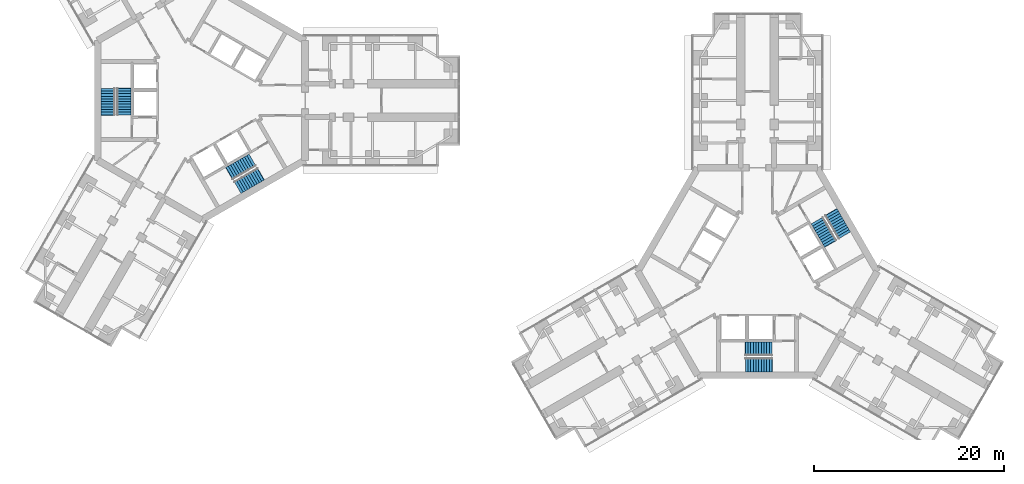
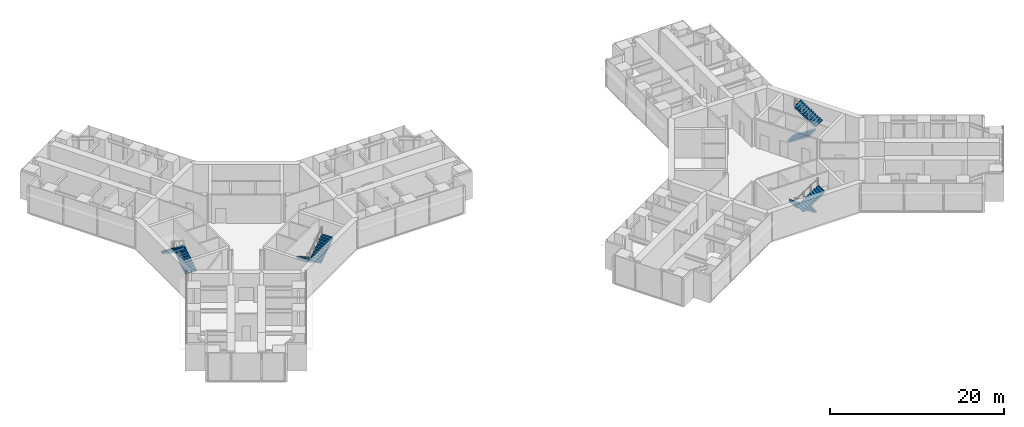
# One storey, part 22 of 23: 8 stair flights, 4 elements without a shape of their own.
"""IFC4 building model written with IfcOpenShell, lengths in metres."""

from ifc_helpers import new_model, si_unit, direction, frame, origin, place, context, subcontext, project, spatial, polyline, outline, extrude, material, type_object, element, aggregate, save


model = new_model("IFC4")

# Units and contexts
model_context = context("Model", 3, precision=1e-05, world=origin(), true_north=direction((0.0, 1.0)))
body_context = subcontext(model_context, "Body", "Model", "MODEL_VIEW")
ifc_project = project(units=[si_unit("LENGTHUNIT", "METRE"), si_unit("AREAUNIT", "SQUARE_METRE"), si_unit("VOLUMEUNIT", "CUBIC_METRE"), si_unit("PLANEANGLEUNIT", "RADIAN"), si_unit("MASSUNIT", "GRAM", prefix="KILO")], contexts=[model_context])

# Site, building, storey
site_placement = place(None, origin())
site = spatial("IfcSite", under=ifc_project, at=site_placement, CompositionType="ELEMENT")
building_placement = place(site_placement, origin())
building = spatial("IfcBuilding", under=site, at=building_placement, Name="Upepo Twin Towers", CompositionType="ELEMENT")
storey_placement = place(building_placement, frame((0.0, 0.0, 32.5)))
storey = spatial("IfcBuildingStorey", under=building, at=storey_placement, Name="L07", CompositionType="ELEMENT", Elevation=32.5)

# Stair, stair flights
ifc_material_1 = material(Name="Concrete C40/50", Category="concrete")
stair_type = type_object("IfcStairType", Name="Core stair, two flights", PredefinedType="HALF_TURN_STAIR", material=ifc_material_1)
stair_1_placement = place(storey_placement, origin())
stair_1 = element("IfcStair", 1, at=stair_1_placement, inside=storey, type_object=stair_type, Name="T1 stair S1 L07", PredefinedType="HALF_TURN_STAIR")
ifc_material_2 = material(Name="Concrete C40/50", Category="concrete")
stair_flight_type = type_object("IfcStairFlightType", Name="Stair flight 1450 RC", PredefinedType="STRAIGHT", material=ifc_material_2)
stair_flight_1_placement = place(storey_placement, frame((-8.125, -1.52001953125, 0.0), z_axis=(0.0, 0.0, 1.0), x_axis=(0.0, 1.0, 0.0)))
stair_flight_1 = element("IfcStairFlight", 2, at=stair_flight_1_placement, type_object=stair_flight_type, Name="Stair S1 flight 1", NumberOfRisers=11, NumberOfTreads=10, PredefinedType="STRAIGHT", RiserHeight=0.181818182, TreadLength=0.28, context=body_context, shape_type="SweptSolid", body=[
    extrude(outline(polyline([(0.0, 0.0), (0.0, 0.181884765625), (0.280029296875, 0.181884765625), (0.280029296875, 0.363525390625), (0.56005859375, 0.363525390625), (0.56005859375, 0.54541015625), (0.840087890625, 0.54541015625), (0.840087890625, 0.727294921875), (1.1201171875, 0.727294921875), (1.1201171875, 0.9091796875), (1.39990234375, 0.9091796875), (1.39990234375, 1.0908203125), (1.679931640625, 1.0908203125), (1.679931640625, 1.272705078125), (1.9599609375, 1.272705078125), (1.9599609375, 1.45458984375), (2.239990234375, 1.45458984375), (2.239990234375, 1.636474609375), (2.52001953125, 1.636474609375), (2.52001953125, 1.818115234375), (2.800048828125, 1.818115234375), (2.800048828125, 2.0), (2.85009765625, 2.0), (2.85009765625, 1.639404296875), (0.3251953125, 0.0), (0.0, 0.0)])), frame((0.0, 0.72509765625, 0.0), z_axis=(0.0, -1.0, 0.0), x_axis=(1.0, 0.0, 0.0)), (0.0, 0.0, 1.0), 1.449951171875),
])
stair_flight_2_placement = place(storey_placement, frame((-9.833251953125, 1.280029296875, 2.0), z_axis=(0.0, 0.0, 1.0), x_axis=(0.0, -1.0, 0.0)))
stair_flight_2 = element("IfcStairFlight", 3, at=stair_flight_2_placement, type_object=stair_flight_type, Name="Stair S1 flight 2", NumberOfRisers=11, NumberOfTreads=10, PredefinedType="STRAIGHT", RiserHeight=0.181818182, TreadLength=0.28, context=body_context, shape_type="SweptSolid", body=[
    extrude(outline(polyline([(0.0, 0.0), (0.0, 0.181884765625), (0.280029296875, 0.181884765625), (0.280029296875, 0.363525390625), (0.56005859375, 0.363525390625), (0.56005859375, 0.54541015625), (0.840087890625, 0.54541015625), (0.840087890625, 0.727294921875), (1.1201171875, 0.727294921875), (1.1201171875, 0.9091796875), (1.39990234375, 0.9091796875), (1.39990234375, 1.0908203125), (1.679931640625, 1.0908203125), (1.679931640625, 1.272705078125), (1.9599609375, 1.272705078125), (1.9599609375, 1.45458984375), (2.239990234375, 1.45458984375), (2.239990234375, 1.636474609375), (2.52001953125, 1.636474609375), (2.52001953125, 1.818115234375), (2.800048828125, 1.818115234375), (2.800048828125, 2.0), (2.85009765625, 2.0), (2.85009765625, 1.639404296875), (0.3251953125, 0.0), (0.0, 0.0)])), frame((0.0, 0.72509765625, 0.0), z_axis=(0.0, -1.0, 0.0), x_axis=(1.0, 0.0, 0.0)), (0.0, 0.0, 1.0), 1.449951171875),
])
aggregate(stair_1, [stair_flight_1, stair_flight_2])

stair_2_placement = place(storey_placement, origin())
stair_2 = element("IfcStair", 4, at=stair_2_placement, inside=storey, type_object=stair_type, Name="T1 stair S2 L07", PredefinedType="HALF_TURN_STAIR")
stair_flight_3_placement = place(storey_placement, frame((5.37890625, -6.2763671875, 0.0), z_axis=(0.0, 0.0, 1.0), x_axis=(-0.866025403784, -0.5, 0.0)))
stair_flight_3 = element("IfcStairFlight", 5, at=stair_flight_3_placement, type_object=stair_flight_type, Name="Stair S2 flight 1", NumberOfRisers=11, NumberOfTreads=10, PredefinedType="STRAIGHT", RiserHeight=0.181818182, TreadLength=0.28, context=body_context, shape_type="SweptSolid", body=[
    extrude(outline(polyline([(0.0, 0.0), (0.0, 0.181884765625), (0.280029296875, 0.181884765625), (0.280029296875, 0.363525390625), (0.56005859375, 0.363525390625), (0.56005859375, 0.54541015625), (0.840087890625, 0.54541015625), (0.840087890625, 0.727294921875), (1.1201171875, 0.727294921875), (1.1201171875, 0.9091796875), (1.39990234375, 0.9091796875), (1.39990234375, 1.0908203125), (1.679931640625, 1.0908203125), (1.679931640625, 1.272705078125), (1.9599609375, 1.272705078125), (1.9599609375, 1.45458984375), (2.239990234375, 1.45458984375), (2.239990234375, 1.636474609375), (2.52001953125, 1.636474609375), (2.52001953125, 1.818115234375), (2.800048828125, 1.818115234375), (2.800048828125, 2.0), (2.85009765625, 2.0), (2.85009765625, 1.639404296875), (0.3251953125, 0.0), (0.0, 0.0)])), frame((0.0, 0.72509765625, 0.0), z_axis=(0.0, -1.0, 0.0), x_axis=(1.0, 0.0, 0.0)), (0.0, 0.0, 1.0), 1.449951171875),
])
stair_flight_4_placement = place(storey_placement, frame((3.80810546875, -9.156005859375, 2.0), z_axis=(0.0, 0.0, 1.0), x_axis=(0.866025403784, 0.5, 0.0)))
stair_flight_4 = element("IfcStairFlight", 6, at=stair_flight_4_placement, type_object=stair_flight_type, Name="Stair S2 flight 2", NumberOfRisers=11, NumberOfTreads=10, PredefinedType="STRAIGHT", RiserHeight=0.181818182, TreadLength=0.28, context=body_context, shape_type="SweptSolid", body=[
    extrude(outline(polyline([(0.0, 0.0), (0.0, 0.181884765625), (0.280029296875, 0.181884765625), (0.280029296875, 0.363525390625), (0.56005859375, 0.363525390625), (0.56005859375, 0.54541015625), (0.840087890625, 0.54541015625), (0.840087890625, 0.727294921875), (1.1201171875, 0.727294921875), (1.1201171875, 0.9091796875), (1.39990234375, 0.9091796875), (1.39990234375, 1.0908203125), (1.679931640625, 1.0908203125), (1.679931640625, 1.272705078125), (1.9599609375, 1.272705078125), (1.9599609375, 1.45458984375), (2.239990234375, 1.45458984375), (2.239990234375, 1.636474609375), (2.52001953125, 1.636474609375), (2.52001953125, 1.818115234375), (2.800048828125, 1.818115234375), (2.800048828125, 2.0), (2.85009765625, 2.0), (2.85009765625, 1.639404296875), (0.3251953125, 0.0), (0.0, 0.0)])), frame((0.0, 0.72509765625, 0.0), z_axis=(0.0, -1.0, 0.0), x_axis=(1.0, 0.0, 0.0)), (0.0, 0.0, 1.0), 1.449951171875),
])
aggregate(stair_2, [stair_flight_3, stair_flight_4])

stair_3_placement = place(storey_placement, origin())
stair_3 = element("IfcStair", 7, at=stair_3_placement, inside=storey, type_object=stair_type, Name="T2 stair S1 L07", PredefinedType="HALF_TURN_STAIR")
stair_flight_5_placement = place(storey_placement, frame((60.02001953125, -26.125, 0.0), z_axis=(0.0, 0.0, 1.0), x_axis=(-1.0, 0.0, 0.0)))
stair_flight_5 = element("IfcStairFlight", 8, at=stair_flight_5_placement, type_object=stair_flight_type, Name="Stair S1 flight 1", NumberOfRisers=11, NumberOfTreads=10, PredefinedType="STRAIGHT", RiserHeight=0.181818182, TreadLength=0.28, context=body_context, shape_type="SweptSolid", body=[
    extrude(outline(polyline([(0.0, 0.0), (0.0, 0.181884765625), (0.280029296875, 0.181884765625), (0.280029296875, 0.363525390625), (0.56005859375, 0.363525390625), (0.56005859375, 0.54541015625), (0.840087890625, 0.54541015625), (0.840087890625, 0.727294921875), (1.1201171875, 0.727294921875), (1.1201171875, 0.9091796875), (1.39990234375, 0.9091796875), (1.39990234375, 1.0908203125), (1.679931640625, 1.0908203125), (1.679931640625, 1.272705078125), (1.9599609375, 1.272705078125), (1.9599609375, 1.45458984375), (2.239990234375, 1.45458984375), (2.239990234375, 1.636474609375), (2.52001953125, 1.636474609375), (2.52001953125, 1.818115234375), (2.800048828125, 1.818115234375), (2.800048828125, 2.0), (2.85009765625, 2.0), (2.85009765625, 1.639404296875), (0.3251953125, 0.0), (0.0, 0.0)])), frame((0.0, 0.72509765625, 0.0), z_axis=(0.0, -1.0, 0.0), x_axis=(1.0, 0.0, 0.0)), (0.0, 0.0, 1.0), 1.449951171875),
])
stair_flight_6_placement = place(storey_placement, frame((57.219970703125, -27.833251953125, 2.0), z_axis=(0.0, 0.0, 1.0), x_axis=(1.0, 0.0, 0.0)))
stair_flight_6 = element("IfcStairFlight", 9, at=stair_flight_6_placement, type_object=stair_flight_type, Name="Stair S1 flight 2", NumberOfRisers=11, NumberOfTreads=10, PredefinedType="STRAIGHT", RiserHeight=0.181818182, TreadLength=0.28, context=body_context, shape_type="SweptSolid", body=[
    extrude(outline(polyline([(0.0, 0.0), (0.0, 0.181884765625), (0.280029296875, 0.181884765625), (0.280029296875, 0.363525390625), (0.56005859375, 0.363525390625), (0.56005859375, 0.54541015625), (0.840087890625, 0.54541015625), (0.840087890625, 0.727294921875), (1.1201171875, 0.727294921875), (1.1201171875, 0.9091796875), (1.39990234375, 0.9091796875), (1.39990234375, 1.0908203125), (1.679931640625, 1.0908203125), (1.679931640625, 1.272705078125), (1.9599609375, 1.272705078125), (1.9599609375, 1.45458984375), (2.239990234375, 1.45458984375), (2.239990234375, 1.636474609375), (2.52001953125, 1.636474609375), (2.52001953125, 1.818115234375), (2.800048828125, 1.818115234375), (2.800048828125, 2.0), (2.85009765625, 2.0), (2.85009765625, 1.639404296875), (0.3251953125, 0.0), (0.0, 0.0)])), frame((0.0, 0.72509765625, 0.0), z_axis=(0.0, -1.0, 0.0), x_axis=(1.0, 0.0, 0.0)), (0.0, 0.0, 1.0), 1.449951171875),
])
aggregate(stair_3, [stair_flight_5, stair_flight_6])

stair_4_placement = place(storey_placement, origin())
stair_4 = element("IfcStair", 10, at=stair_4_placement, inside=storey, type_object=stair_type, Name="T2 stair S2 L07", PredefinedType="HALF_TURN_STAIR")
stair_flight_7_placement = place(storey_placement, frame((64.7763671875, -12.62109375, 0.0), z_axis=(0.0, 0.0, 1.0), x_axis=(0.5, -0.866025403784, 0.0)))
stair_flight_7 = element("IfcStairFlight", 11, at=stair_flight_7_placement, type_object=stair_flight_type, Name="Stair S2 flight 1", NumberOfRisers=11, NumberOfTreads=10, PredefinedType="STRAIGHT", RiserHeight=0.181818182, TreadLength=0.28, context=body_context, shape_type="SweptSolid", body=[
    extrude(outline(polyline([(0.0, 0.0), (0.0, 0.181884765625), (0.280029296875, 0.181884765625), (0.280029296875, 0.363525390625), (0.56005859375, 0.363525390625), (0.56005859375, 0.54541015625), (0.840087890625, 0.54541015625), (0.840087890625, 0.727294921875), (1.1201171875, 0.727294921875), (1.1201171875, 0.9091796875), (1.39990234375, 0.9091796875), (1.39990234375, 1.0908203125), (1.679931640625, 1.0908203125), (1.679931640625, 1.272705078125), (1.9599609375, 1.272705078125), (1.9599609375, 1.45458984375), (2.239990234375, 1.45458984375), (2.239990234375, 1.636474609375), (2.52001953125, 1.636474609375), (2.52001953125, 1.818115234375), (2.800048828125, 1.818115234375), (2.800048828125, 2.0), (2.85009765625, 2.0), (2.85009765625, 1.639404296875), (0.3251953125, 0.0), (0.0, 0.0)])), frame((0.0, 0.72509765625, 0.0), z_axis=(0.0, -1.0, 0.0), x_axis=(1.0, 0.0, 0.0)), (0.0, 0.0, 1.0), 1.449951171875),
])
stair_flight_8_placement = place(storey_placement, frame((67.656005859375, -14.19189453125, 2.0), z_axis=(0.0, 0.0, 1.0), x_axis=(-0.5, 0.866025403784, 0.0)))
stair_flight_8 = element("IfcStairFlight", 12, at=stair_flight_8_placement, type_object=stair_flight_type, Name="Stair S2 flight 2", NumberOfRisers=11, NumberOfTreads=10, PredefinedType="STRAIGHT", RiserHeight=0.181818182, TreadLength=0.28, context=body_context, shape_type="SweptSolid", body=[
    extrude(outline(polyline([(0.0, 0.0), (0.0, 0.181884765625), (0.280029296875, 0.181884765625), (0.280029296875, 0.363525390625), (0.56005859375, 0.363525390625), (0.56005859375, 0.54541015625), (0.840087890625, 0.54541015625), (0.840087890625, 0.727294921875), (1.1201171875, 0.727294921875), (1.1201171875, 0.9091796875), (1.39990234375, 0.9091796875), (1.39990234375, 1.0908203125), (1.679931640625, 1.0908203125), (1.679931640625, 1.272705078125), (1.9599609375, 1.272705078125), (1.9599609375, 1.45458984375), (2.239990234375, 1.45458984375), (2.239990234375, 1.636474609375), (2.52001953125, 1.636474609375), (2.52001953125, 1.818115234375), (2.800048828125, 1.818115234375), (2.800048828125, 2.0), (2.85009765625, 2.0), (2.85009765625, 1.639404296875), (0.3251953125, 0.0), (0.0, 0.0)])), frame((0.0, 0.72509765625, 0.0), z_axis=(0.0, -1.0, 0.0), x_axis=(1.0, 0.0, 0.0)), (0.0, 0.0, 1.0), 1.449951171875),
])
aggregate(stair_4, [stair_flight_7, stair_flight_8])

save(model, "model.ifc")
